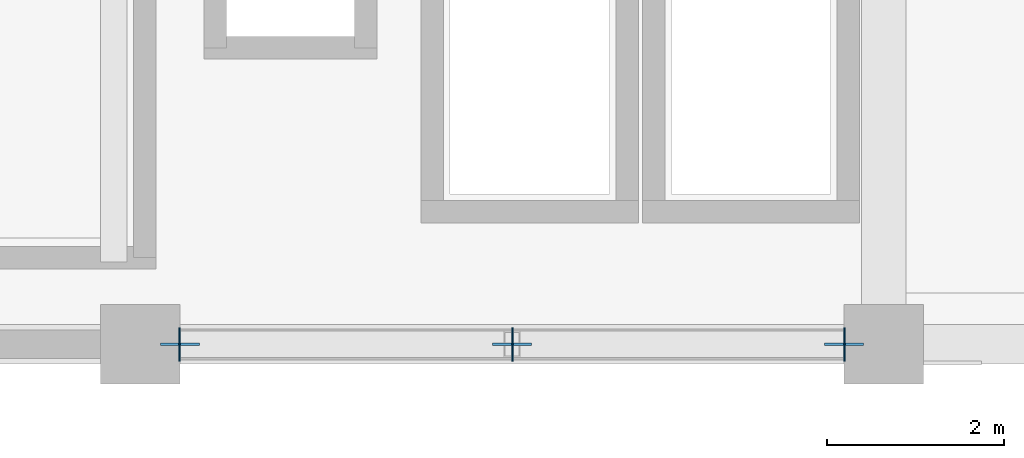
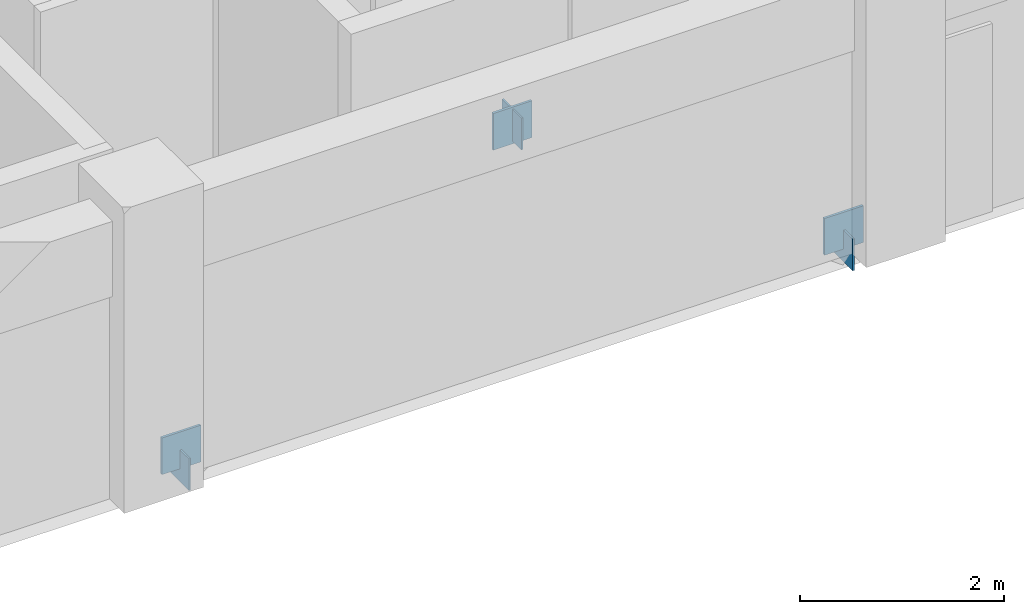
# One storey, part 59 of 118: 6 plates.
"""IFC4 building model written with IfcOpenShell, lengths in metres."""

from ifc_helpers import new_model, si_unit, direction, frame, origin, origin_2d, place, context, subcontext, project, spatial, rectangle, extrude, material, layer, layer_set, type_object, element, save


model = new_model("IFC4")

# Units and contexts
model_context = context("Model", 3, precision=1e-05, world=origin(), true_north=direction((0.0, 1.0)))
body_context = subcontext(model_context, "Body", "Model", "MODEL_VIEW")
ifc_project = project(units=[si_unit("LENGTHUNIT", "METRE"), si_unit("AREAUNIT", "SQUARE_METRE"), si_unit("VOLUMEUNIT", "CUBIC_METRE"), si_unit("PLANEANGLEUNIT", "RADIAN"), si_unit("MASSUNIT", "GRAM", prefix="KILO")], contexts=[model_context])

# Site, building, storey
site_placement = place(None, origin())
site = spatial("IfcSite", under=ifc_project, at=site_placement, CompositionType="ELEMENT")
building_placement = place(site_placement, origin())
building = spatial("IfcBuilding", under=site, at=building_placement, Name="Cumbredor Promenade Congress Hotel", CompositionType="ELEMENT")
storey_placement = place(building_placement, frame((0.0, 0.0, 3.919921875)))
storey = spatial("IfcBuildingStorey", under=building, at=storey_placement, Name="L01", CompositionType="ELEMENT", Elevation=3.919921875)

# Plates
ifc_material = material(Name="Steel ASTM A572 Grade 50", Category="steel")
ifc_layer_1 = layer(ifc_material, 0.02001953125, Name="Steel ASTM A572 Grade 50", Category="steel")
ifc_layer_set_1 = layer_set([ifc_layer_1], Name="Steel ASTM A572 Grade 50")
plate_type_1 = type_object("IfcPlateType", Name="Hollow Section End Cap Plate CP-04", PredefinedType="USERDEFINED", material=ifc_layer_set_1)
for number, where, z_axis, x_axis, name in (
    (1, (17.24365234375, 8.39990234375, -0.194580078125), (0.0, 0.0, 1.0), (1.0, 0.0, 0.0), "L01 Chevron Seismic Brace 13A Start Cap Plate"),
    (2, (21.00634765625, 8.39990234375, 2.56494140625), (0.0, 0.0, 1.0), (1.0, 0.0, 0.0), "L01 Chevron Seismic Brace 13A End Cap Plate"),
    (3, (24.75634765625, 8.39990234375, -0.194580078125), (0.0, 0.0, 1.0), (-1.0, 0.0, 0.0), "L01 Chevron Seismic Brace 13B Start Cap Plate"),
):
    element("IfcPlate", number, at=place(storey_placement, frame(where, z_axis=z_axis, x_axis=x_axis)), inside=storey, type_object=plate_type_1, Name=name, ObjectType="CAP PLATE", PredefinedType="USERDEFINED", context=body_context, shape_type="SweptSolid", body=[
        extrude(rectangle(XDim=0.02001953125, YDim=0.3798828125, at=origin_2d()), origin(), (0.0, 0.0, 1.0), 0.3798828125),
    ])
ifc_layer_2 = layer(ifc_material, 0.028076171875, Name="Steel ASTM A572 Grade 50", Category="steel")
ifc_layer_set_2 = layer_set([ifc_layer_2], Name="Steel ASTM A572 Grade 50")
plate_type_2 = type_object("IfcPlateType", Name="Space Frame Node Assembly ND-03", PredefinedType="USERDEFINED", material=ifc_layer_set_2)
for number, where, z_axis, x_axis, name in (
    (4, (17.25, 8.39990234375, -0.039794921875), (0.0, 0.0, 1.0), (1.0, 0.0, 0.0), "L01 Seismic Frame Gusset Plate 13-BL"),
    (5, (24.75, 8.39990234375, -0.039794921875), (0.0, 0.0, 1.0), (1.0, 0.0, 0.0), "L01 Seismic Frame Gusset Plate 13-BR"),
    (6, (21.0, 8.39990234375, 2.530029296875), (0.0, 0.0, 1.0), (1.0, 0.0, 0.0), "L01 Seismic Frame Gusset Plate 13-APX"),
):
    element("IfcPlate", number, at=place(storey_placement, frame(where, z_axis=z_axis, x_axis=x_axis)), inside=storey, type_object=plate_type_2, Name=name, ObjectType="GUSSET PLATE", PredefinedType="USERDEFINED", context=body_context, shape_type="SweptSolid", body=[
        extrude(rectangle(XDim=0.43994140625, YDim=0.028076171875, at=origin_2d()), origin(), (0.0, 0.0, 1.0), 0.43994140625),
    ])

save(model, "model.ifc")
